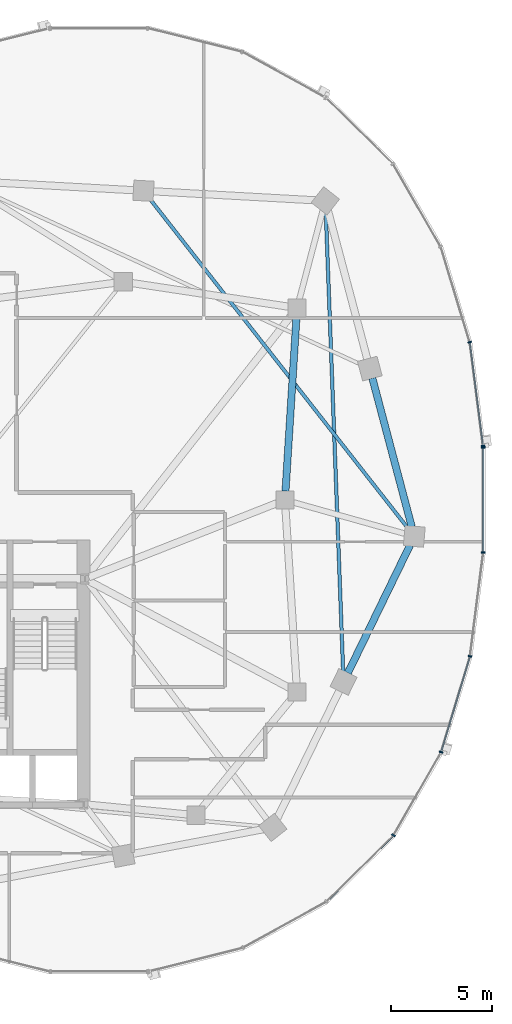
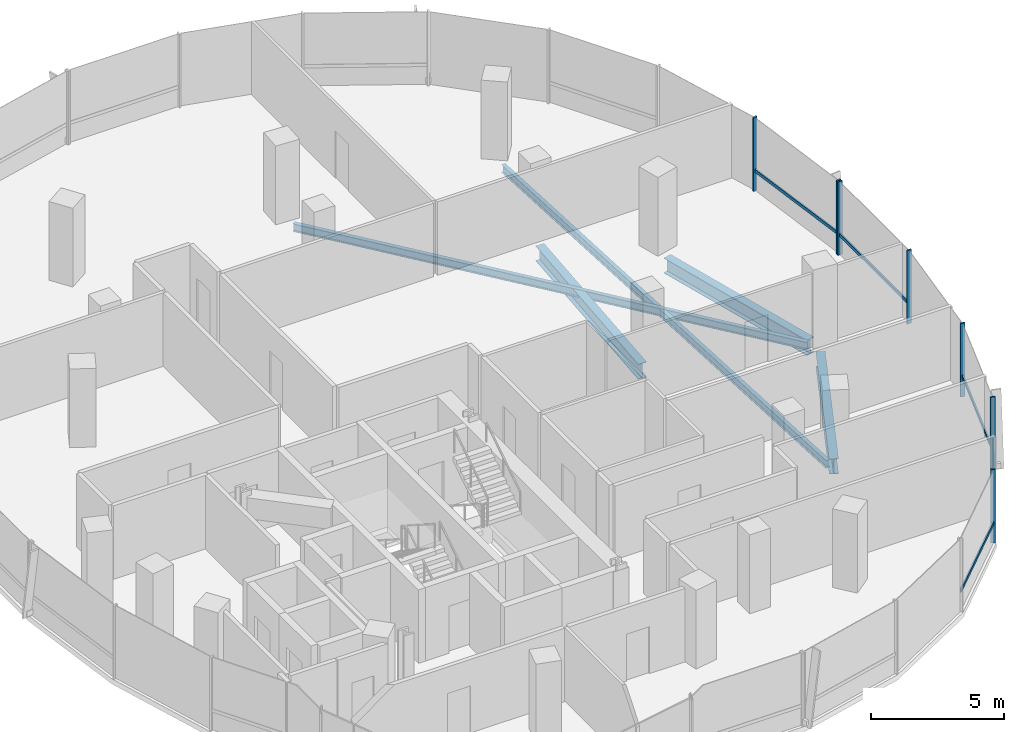
# One storey, part 8 of 22: 11 members, 5 beams, 2 elements without a shape of their own.
"""IFC4 building model written with IfcOpenShell, lengths in metres."""

from ifc_helpers import new_model, si_unit, direction, frame, origin, origin_2d, place, context, subcontext, project, spatial, rectangle, i_section, extrude, material, material_profile, profile_set, type_object, element, aggregate, save


model = new_model("IFC4")

# Units and contexts
model_context = context("Model", 3, precision=1e-05, world=origin(), true_north=direction((0.0, 1.0)))
body_context = subcontext(model_context, "Body", "Model", "MODEL_VIEW")
ifc_project = project(units=[si_unit("LENGTHUNIT", "METRE"), si_unit("AREAUNIT", "SQUARE_METRE"), si_unit("VOLUMEUNIT", "CUBIC_METRE"), si_unit("PLANEANGLEUNIT", "RADIAN"), si_unit("MASSUNIT", "GRAM", prefix="KILO"), si_unit("THERMODYNAMICTEMPERATUREUNIT", "KELVIN"), si_unit("POWERUNIT", "WATT")], contexts=[model_context])

# Site, building, storey
site_placement = place(None, origin())
site = spatial("IfcSite", under=ifc_project, at=site_placement, CompositionType="ELEMENT")
building_placement = place(site_placement, origin())
building = spatial("IfcBuilding", under=site, at=building_placement, Name="Cundina Bronze Exchange", CompositionType="ELEMENT")
storey_placement = place(building_placement, frame((0.0, 0.0, 154.800048828125)))
storey = spatial("IfcBuildingStorey", under=building, at=storey_placement, Name="L40", CompositionType="ELEMENT", Elevation=154.800048828125)

# Beams
ifc_material_1 = material(Name="Steel ASTM A992 Grade 50", Category="steel")
ifc_material_profile_1 = material_profile(ifc_material_1, i_section(OverallWidth=0.172119140625, OverallDepth=0.35791015625, WebThickness=0.0078125, FlangeThickness=0.01318359375, FilletRadius=0.010009765625, at=origin_2d()), Name="W14X38", Category="steel")
ifc_profile_set_1 = profile_set([ifc_material_profile_1], Name="Steel ASTM A992 Grade 50")
beam_type_1 = type_object("IfcBeamType", Name="BM-JST-W14", PredefinedType="JOIST", material=ifc_profile_set_1)
beam_1_placement = place(storey_placement, frame((44.08154296875, -8.51220703125, -0.4189453125), z_axis=(-0.037784933381, 0.999285894431, 0.0), x_axis=(-0.999285894431, -0.037784933381, 0.0)))
element("IfcBeam", 1, at=beam_1_placement, inside=storey, type_object=beam_type_1, Name="L40 Leg E Lobe Floor Joist 07-10", PredefinedType="JOIST", context=body_context, shape_type="SweptSolid", body=[
    extrude(i_section(OverallWidth=0.172119140625, OverallDepth=0.35791015625, WebThickness=0.0078125, FlangeThickness=0.01318359375, FilletRadius=0.010009765625, at=origin_2d()), origin(), (0.0, 0.0, 1.0), 22.8408203125),
])
beam_2_placement = place(storey_placement, frame((47.299072265625, -1.416015625, -0.4189453125), z_axis=(-0.616801484103, 0.787118751656, 0.0), x_axis=(-0.787118751656, -0.616801484103, 0.0)))
element("IfcBeam", 2, at=beam_2_placement, inside=storey, type_object=beam_type_1, Name="L40 Leg E Lobe Floor Joist 08-11", PredefinedType="JOIST", context=body_context, shape_type="SweptSolid", body=[
    extrude(i_section(OverallWidth=0.172119140625, OverallDepth=0.35791015625, WebThickness=0.0078125, FlangeThickness=0.01318359375, FilletRadius=0.010009765625, at=origin_2d()), origin(), (0.0, 0.0, 1.0), 20.7490234375),
])
ifc_material_profile_2 = material_profile(ifc_material_1, i_section(OverallWidth=0.35498046875, OverallDepth=0.695068359375, WebThickness=0.015380859375, FlangeThickness=0.02490234375, FilletRadius=0.01806640625, at=origin_2d()), Name="W27X146", Category="steel")
ifc_profile_set_2 = profile_set([ifc_material_profile_2], Name="Steel ASTM A992 Grade 50")
beam_type_2 = type_object("IfcBeamType", Name="BM-RING-W27", PredefinedType="USERDEFINED", material=ifc_profile_set_2)
beam_3_placement = place(storey_placement, frame((41.2275390625, 0.43701171875, -0.587646484375), z_axis=(0.063046519736, 0.998010589297, 0.0), x_axis=(-0.998010589297, 0.063046519736, 0.0)))
element("IfcBeam", 3, at=beam_3_placement, inside=storey, type_object=beam_type_2, Name="L40 E Inner Structural Ring Girder 04", ObjectType="GIRDER", PredefinedType="USERDEFINED", context=body_context, shape_type="SweptSolid", body=[
    extrude(i_section(OverallWidth=0.35498046875, OverallDepth=0.695068359375, WebThickness=0.015380859375, FlangeThickness=0.02490234375, FilletRadius=0.01806640625, at=origin_2d()), origin(), (0.0, 0.0, 1.0), 8.64306640625),
])
beam_4_placement = place(storey_placement, frame((44.3134765625, -8.56103515625, -0.587646484375), z_axis=(0.437196998825, 0.89936576776, 0.0), x_axis=(-0.89936576776, 0.437196998825, 0.0)))
element("IfcBeam", 4, at=beam_4_placement, inside=storey, type_object=beam_type_2, Name="L40 E Perimeter Ring Girder 07", ObjectType="GIRDER", PredefinedType="USERDEFINED", context=body_context, shape_type="SweptSolid", body=[
    extrude(i_section(OverallWidth=0.35498046875, OverallDepth=0.695068359375, WebThickness=0.015380859375, FlangeThickness=0.02490234375, FilletRadius=0.01806640625, at=origin_2d()), origin(), (0.0, 0.0, 1.0), 7.029541015625),
])
beam_5_placement = place(storey_placement, frame((47.47509765625, -1.328369140625, -0.587646484375), z_axis=(-0.256240814108, 0.966612975904, 0.0), x_axis=(-0.966612975904, -0.256240814108, 0.0)))
element("IfcBeam", 5, at=beam_5_placement, inside=storey, type_object=beam_type_2, Name="L40 E Perimeter Ring Girder 08", ObjectType="GIRDER", PredefinedType="USERDEFINED", context=body_context, shape_type="SweptSolid", body=[
    extrude(i_section(OverallWidth=0.35498046875, OverallDepth=0.695068359375, WebThickness=0.015380859375, FlangeThickness=0.02490234375, FilletRadius=0.01806640625, at=origin_2d()), origin(), (0.0, 0.0, 1.0), 7.61083984375),
])

# Curtain wall, members
ifc_material_2 = material(Name="Anodised Bronze Aluminium 6063-T6", Category="aluminium")
curtain_wall_type = type_object("IfcCurtainWallType", Name="CWS-WST-PIN", PredefinedType="NOTDEFINED", material=ifc_material_2)
curtain_wall_1_placement = place(storey_placement, origin())
curtain_wall_1 = element("IfcCurtainWall", 6, at=curtain_wall_1_placement, inside=storey, type_object=curtain_wall_type, Name="L40 CW-04 Curtain Wall Run CWR-L40-E1", PredefinedType="NOTDEFINED")
ifc_material_profile_3 = material_profile(ifc_material_2, rectangle(XDim=0.070068359375, YDim=0.18994140625, at=origin_2d()), Name="AL70X190", Category="aluminium")
ifc_profile_set_3 = profile_set([ifc_material_profile_3], Name="Anodised Bronze Aluminium 6063-T6")
member_type_1 = type_object("IfcMemberType", Name="CWM-MUL-190", PredefinedType="MULLION", material=ifc_profile_set_3)
member_1_placement = place(storey_placement, frame((51.001708984375, 2.676025390625, 0.0), z_axis=(0.0, 0.0, 1.0), x_axis=(-0.126545236492, 0.991960837494, 0.0)))
member_1 = element("IfcMember", 7, at=member_1_placement, type_object=member_type_1, Name="CW-04 Mullion 1", PredefinedType="MULLION", context=body_context, shape_type="SweptSolid", body=[
    extrude(rectangle(XDim=0.070068359375, YDim=0.18994140625, at=origin_2d()), origin(), (0.0, 0.0, 1.0), 3.35986328125),
])
member_2_placement = place(storey_placement, frame((50.3408203125, 7.80859375, 0.0), z_axis=(0.0, 0.0, 1.0), x_axis=(-0.290034140915, 0.957016299288, 0.0)))
member_2 = element("IfcMember", 8, at=member_2_placement, type_object=member_type_1, Name="CW-04 Mullion 2", PredefinedType="MULLION", context=body_context, shape_type="SweptSolid", body=[
    extrude(rectangle(XDim=0.070068359375, YDim=0.18994140625, at=origin_2d()), origin(), (0.0, 0.0, 1.0), 3.35986328125),
])

curtain_wall_2_placement = place(storey_placement, origin())
curtain_wall_2 = element("IfcCurtainWall", 9, at=curtain_wall_2_placement, inside=storey, type_object=curtain_wall_type, Name="L40 CW-04 Curtain Wall Run CWR-L40-E4", PredefinedType="NOTDEFINED")
member_3_placement = place(storey_placement, frame((46.57080078125, -16.588134765625, 0.0), z_axis=(0.0, 0.0, 1.0), x_axis=(0.498487739754, 0.866896748936, 0.0)))
member_3 = element("IfcMember", 10, at=member_3_placement, type_object=member_type_1, Name="CW-04 Mullion 4", PredefinedType="MULLION", context=body_context, shape_type="SweptSolid", body=[
    extrude(rectangle(XDim=0.070068359375, YDim=0.18994140625, at=origin_2d()), origin(), (0.0, 0.0, 1.0), 3.35986328125),
])
member_4_placement = place(storey_placement, frame((48.92626953125, -12.4755859375, 0.0), z_axis=(0.0, 0.0, 1.0), x_axis=(0.290034140915, 0.957016299288, 0.0)))
member_4 = element("IfcMember", 11, at=member_4_placement, type_object=member_type_1, Name="CW-04 Mullion 5", PredefinedType="MULLION", context=body_context, shape_type="SweptSolid", body=[
    extrude(rectangle(XDim=0.070068359375, YDim=0.18994140625, at=origin_2d()), origin(), (0.0, 0.0, 1.0), 3.35986328125),
])
member_5_placement = place(storey_placement, frame((50.357177734375, -7.731689453125, 0.0), z_axis=(0.0, 0.0, 1.0), x_axis=(0.126545236492, 0.991960837494, 0.0)))
member_5 = element("IfcMember", 12, at=member_5_placement, type_object=member_type_1, Name="CW-04 Mullion 6", PredefinedType="MULLION", context=body_context, shape_type="SweptSolid", body=[
    extrude(rectangle(XDim=0.070068359375, YDim=0.18994140625, at=origin_2d()), origin(), (0.0, 0.0, 1.0), 3.35986328125),
])
member_6_placement = place(storey_placement, frame((51.007080078125, -2.593017578125, 0.0), z_axis=(0.0, 0.0, 1.0), x_axis=(0.0, 1.0, 0.0)))
member_6 = element("IfcMember", 13, at=member_6_placement, type_object=member_type_1, Name="CW-04 Mullion 7", PredefinedType="MULLION", context=body_context, shape_type="SweptSolid", body=[
    extrude(rectangle(XDim=0.070068359375, YDim=0.18994140625, at=origin_2d()), origin(), (0.0, 0.0, 1.0), 3.35986328125),
])
member_7_placement = place(storey_placement, frame((51.007080078125, 2.593017578125, 0.0), z_axis=(0.0, 0.0, 1.0), x_axis=(0.0, 1.0, 0.0)))
member_7 = element("IfcMember", 14, at=member_7_placement, type_object=member_type_1, Name="CW-04 End Mullion", PredefinedType="MULLION", context=body_context, shape_type="SweptSolid", body=[
    extrude(rectangle(XDim=0.070068359375, YDim=0.18994140625, at=origin_2d()), origin(), (0.0, 0.0, 1.0), 3.35986328125),
])

# Member
ifc_material_profile_4 = material_profile(ifc_material_2, rectangle(XDim=0.06494140625, YDim=0.14990234375, at=origin_2d()), Name="AL65X150", Category="aluminium")
ifc_profile_set_4 = profile_set([ifc_material_profile_4], Name="Anodised Bronze Aluminium 6063-T6")
member_type_2 = type_object("IfcMemberType", Name="CWM-TRN-150", PredefinedType="USERDEFINED", material=ifc_profile_set_4)
member_8_placement = place(storey_placement, frame((50.996826171875, 2.71435546875, 0.919921875), z_axis=(-0.12646340362, 0.991971273548, 0.0), x_axis=(-0.991971273548, -0.12646340362, 0.0)))
member_8 = element("IfcMember", 15, at=member_8_placement, type_object=member_type_2, Name="CW-04 Spandrel Transom 1", ObjectType="TRANSOM", PredefinedType="USERDEFINED", context=body_context, shape_type="SweptSolid", body=[
    extrude(rectangle(XDim=0.06494140625, YDim=0.14990234375, at=origin_2d()), origin(), (0.0, 0.0, 1.0), 5.0966796875),
])

aggregate(curtain_wall_1, [member_1, member_8, member_2])

member_9_placement = place(storey_placement, frame((43.28662109375, -19.839599609375, 0.919921875), z_axis=(0.712005023839, 0.702174370102, 0.0), x_axis=(-0.702174370102, 0.712005023839, 0.0)))
member_9 = element("IfcMember", 16, at=member_9_placement, type_object=member_type_2, Name="CW-04 Spandrel Transom 3", ObjectType="TRANSOM", PredefinedType="USERDEFINED", context=body_context, shape_type="SweptSolid", body=[
    extrude(rectangle(XDim=0.06494140625, YDim=0.14990234375, at=origin_2d()), origin(), (0.0, 0.0, 1.0), 4.594482421875),
])

member_10_placement = place(storey_placement, frame((48.937255859375, -12.43896484375, 0.919921875), z_axis=(0.290051855969, 0.957010930371, 0.0), x_axis=(-0.957010930371, 0.290051855969, 0.0)))
member_10 = element("IfcMember", 17, at=member_10_placement, type_object=member_type_2, Name="CW-04 Spandrel Transom 5", ObjectType="TRANSOM", PredefinedType="USERDEFINED", context=body_context, shape_type="SweptSolid", body=[
    extrude(rectangle(XDim=0.06494140625, YDim=0.14990234375, at=origin_2d()), origin(), (0.0, 0.0, 1.0), 4.876953125),
])

member_11_placement = place(storey_placement, frame((51.007080078125, -2.554443359375, 0.919921875), z_axis=(0.0, 1.0, 0.0), x_axis=(-1.0, 0.0, 0.0)))
member_11 = element("IfcMember", 18, at=member_11_placement, type_object=member_type_2, Name="CW-04 Spandrel Transom 7", ObjectType="TRANSOM", PredefinedType="USERDEFINED", context=body_context, shape_type="SweptSolid", body=[
    extrude(rectangle(XDim=0.06494140625, YDim=0.14990234375, at=origin_2d()), origin(), (0.0, 0.0, 1.0), 5.10888671875),
])

aggregate(curtain_wall_2, [member_9, member_3, member_4, member_10, member_5, member_6, member_7, member_11])

save(model, "model.ifc")
